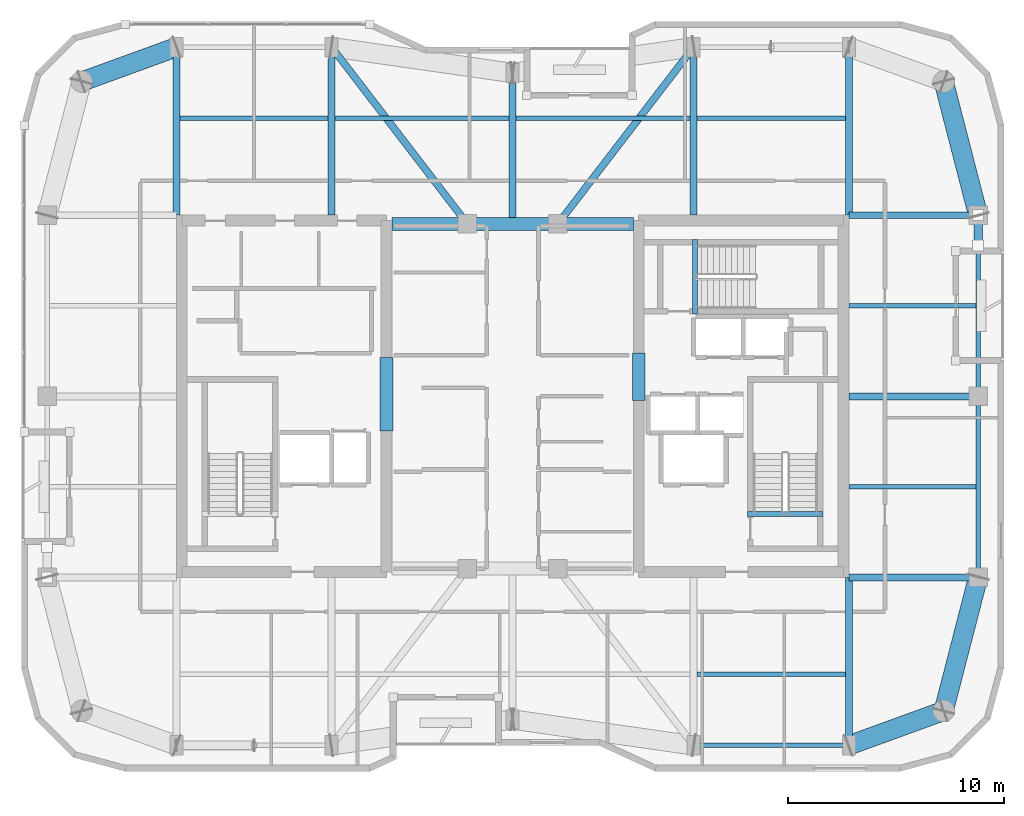
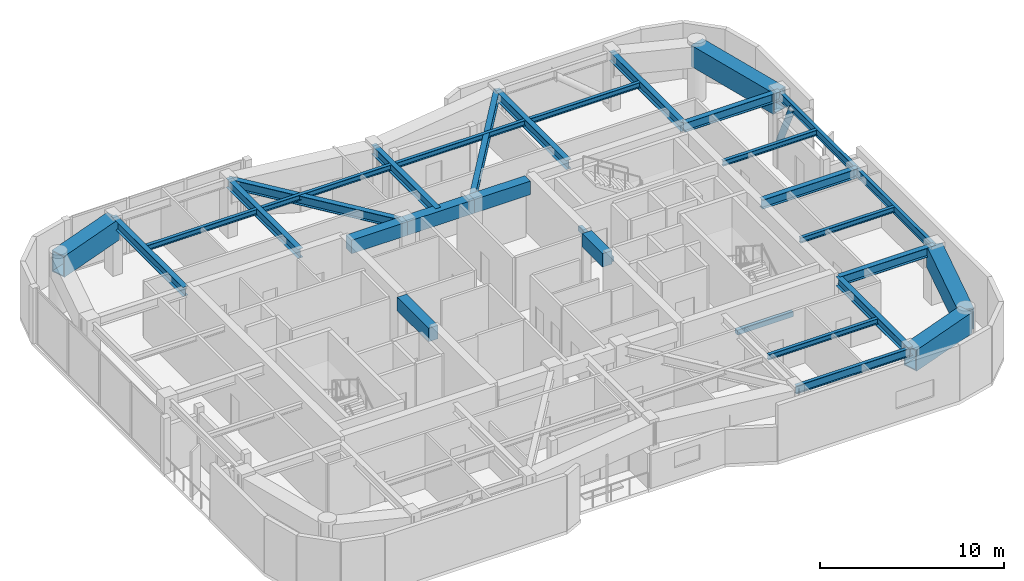
# One storey, part 5 of 15: 32 beams, 1 member.
"""IFC4 building model written with IfcOpenShell, lengths in metres."""

from ifc_helpers import new_model, si_unit, direction, frame, origin, origin_2d, place, context, subcontext, project, spatial, rectangle, hollow_rectangle, hollow_circle, i_section, extrude, material, material_profile, profile_set, type_object, element, save


model = new_model("IFC4")

# Units and contexts
model_context = context("Model", 3, precision=1e-05, world=origin(), true_north=direction((0.0, 1.0)))
body_context = subcontext(model_context, "Body", "Model", "MODEL_VIEW")
ifc_project = project(units=[si_unit("LENGTHUNIT", "METRE"), si_unit("AREAUNIT", "SQUARE_METRE"), si_unit("VOLUMEUNIT", "CUBIC_METRE"), si_unit("PLANEANGLEUNIT", "RADIAN"), si_unit("MASSUNIT", "GRAM", prefix="KILO")], contexts=[model_context])

# Site, building, storey
site_placement = place(None, origin())
site = spatial("IfcSite", under=ifc_project, at=site_placement, CompositionType="ELEMENT")
building_placement = place(site_placement, origin())
building = spatial("IfcBuilding", under=site, at=building_placement, Name="Kiyonajd Concourse Tower", CompositionType="ELEMENT")
storey_placement = place(building_placement, frame((0.0, 0.0, 318.0)))
storey = spatial("IfcBuildingStorey", under=building, at=storey_placement, Name="L80", CompositionType="ELEMENT", Elevation=318.0)

# Beams
ifc_material_1 = material(Name="Concrete C60/75", Category="concrete")
ifc_material_profile_1 = material_profile(ifc_material_1, rectangle(XDim=0.60009765625, YDim=0.89990234375, at=origin_2d()), Name="RCBM-600x900")
ifc_profile_set_1 = profile_set([ifc_material_profile_1], Name="Concrete C60/75")
beam_type_1 = type_object("IfcBeamType", Name="BM-COUP-900", PredefinedType="LINTEL", material=ifc_profile_set_1)
beam_1_placement = place(storey_placement, frame((42.39990234375, 44.0, 3.22998046875), z_axis=(1.0, 0.0, 0.0), x_axis=(0.0, 1.0, 0.0)))
element("IfcBeam", 1, at=beam_1_placement, inside=storey, type_object=beam_type_1, Name="L80 Core Coupling Beam N1", PredefinedType="LINTEL", context=body_context, shape_type="SweptSolid", body=[
    extrude(rectangle(XDim=0.60009765625, YDim=0.89990234375, at=origin_2d()), origin(), (0.0, 0.0, 1.0), 3.5),
])
beam_2_placement = place(storey_placement, frame((45.89990234375, 44.0, 3.22998046875), z_axis=(1.0, 0.0, 0.0), x_axis=(0.0, 1.0, 0.0)))
element("IfcBeam", 2, at=beam_2_placement, inside=storey, type_object=beam_type_1, Name="L80 Core Coupling Beam N2", PredefinedType="LINTEL", context=body_context, shape_type="SweptSolid", body=[
    extrude(rectangle(XDim=0.60009765625, YDim=0.89990234375, at=origin_2d()), origin(), (0.0, 0.0, 1.0), 4.2001953125),
])
beam_3_placement = place(storey_placement, frame((50.10009765625, 44.0, 3.22998046875), z_axis=(1.0, 0.0, 0.0), x_axis=(0.0, 1.0, 0.0)))
element("IfcBeam", 3, at=beam_3_placement, inside=storey, type_object=beam_type_1, Name="L80 Core Coupling Beam N3", PredefinedType="LINTEL", context=body_context, shape_type="SweptSolid", body=[
    extrude(rectangle(XDim=0.60009765625, YDim=0.89990234375, at=origin_2d()), origin(), (0.0, 0.0, 1.0), 3.5),
])
beam_4_placement = place(storey_placement, frame((42.14990234375, 34.39990234375, 3.22998046875), z_axis=(0.0, 1.0, 0.0), x_axis=(-1.0, 0.0, 0.0)))
element("IfcBeam", 4, at=beam_4_placement, inside=storey, type_object=beam_type_1, Name="L80 West Core Throat Coupling Lintel", PredefinedType="LINTEL", context=body_context, shape_type="SweptSolid", body=[
    extrude(rectangle(XDim=0.60009765625, YDim=0.89990234375, at=origin_2d()), origin(), (0.0, 0.0, 1.0), 3.400146484375),
])
beam_5_placement = place(storey_placement, frame((53.85009765625, 35.800048828125, 3.22998046875), z_axis=(0.0, 1.0, 0.0), x_axis=(-1.0, 0.0, 0.0)))
element("IfcBeam", 5, at=beam_5_placement, inside=storey, type_object=beam_type_1, Name="L80 East Core Throat Coupling Lintel", PredefinedType="LINTEL", context=body_context, shape_type="SweptSolid", body=[
    extrude(rectangle(XDim=0.60009765625, YDim=0.89990234375, at=origin_2d()), origin(), (0.0, 0.0, 1.0), 2.199951171875),
])
ifc_material_2 = material(Name="Steel ASTM A992 Grade 50", Category="steel")
ifc_material_profile_2 = material_profile(ifc_material_2, i_section(OverallWidth=0.205078125, OverallDepth=0.35400390625, WebThickness=0.009521484375, FlangeThickness=0.016845703125, at=origin_2d()), Name="W360X79")
ifc_profile_set_2 = profile_set([ifc_material_profile_2], Name="Steel ASTM A992 Grade 50")
beam_type_2 = type_object("IfcBeamType", Name="BM-JST-360", PredefinedType="JOIST", material=ifc_profile_set_2)
for number, where, z_axis, x_axis, name in (
    (6, (56.56201171875, 23.10009765625, 3.5029296875), (1.0, 0.0, 0.0), (0.0, 1.0, 0.0), "L80 Secondary Floor Joist"),
    (7, (32.56201171875, 48.89990234375, 3.5029296875), (1.0, 0.0, 0.0), (0.0, 1.0, 0.0), "L80 Secondary Floor Joist"),
):
    element("IfcBeam", number, at=place(storey_placement, frame(where, z_axis=z_axis, x_axis=x_axis)), inside=storey, type_object=beam_type_2, Name=name, PredefinedType="JOIST", context=body_context, shape_type="SweptSolid", body=[
        extrude(i_section(OverallWidth=0.205078125, OverallDepth=0.35400390625, WebThickness=0.009521484375, FlangeThickness=0.016845703125, at=origin_2d()), origin(), (0.0, 0.0, 1.0), 6.8759765625),
    ])
for number, where, z_axis, x_axis, name in (
    (8, (39.761962890625, 48.89990234375, 3.5029296875), (1.0, 0.0, 0.0), (0.0, 1.0, 0.0), "L80 Secondary Floor Joist"),
    (9, (48.162109375, 48.89990234375, 3.5029296875), (1.0, 0.0, 0.0), (0.0, 1.0, 0.0), "L80 Secondary Floor Joist"),
):
    element("IfcBeam", number, at=place(storey_placement, frame(where, z_axis=z_axis, x_axis=x_axis)), inside=storey, type_object=beam_type_2, Name=name, PredefinedType="JOIST", context=body_context, shape_type="SweptSolid", body=[
        extrude(i_section(OverallWidth=0.205078125, OverallDepth=0.35400390625, WebThickness=0.009521484375, FlangeThickness=0.016845703125, at=origin_2d()), origin(), (0.0, 0.0, 1.0), 8.075927734375),
    ])
beam_6_placement = place(storey_placement, frame((56.56201171875, 48.89990234375, 3.5029296875), z_axis=(1.0, 0.0, 0.0), x_axis=(0.0, 1.0, 0.0)))
element("IfcBeam", 10, at=beam_6_placement, inside=storey, type_object=beam_type_2, Name="L80 Secondary Floor Joist", PredefinedType="JOIST", context=body_context, shape_type="SweptSolid", body=[
    extrude(i_section(OverallWidth=0.205078125, OverallDepth=0.35400390625, WebThickness=0.009521484375, FlangeThickness=0.016845703125, at=origin_2d()), origin(), (0.0, 0.0, 1.0), 6.8759765625),
])
for number, where, z_axis, x_axis, name in (
    (11, (63.60009765625, 31.800048828125, 3.5029296875), (1.0, 0.0, 0.0), (0.0, 1.0, 0.0), "L80 East Secondary Floor Joist"),
    (12, (63.60009765625, 40.199951171875, 3.5029296875), (1.0, 0.0, 0.0), (0.0, 1.0, 0.0), "L80 East Secondary Floor Joist"),
):
    element("IfcBeam", number, at=place(storey_placement, frame(where, z_axis=z_axis, x_axis=x_axis)), inside=storey, type_object=beam_type_2, Name=name, PredefinedType="JOIST", context=body_context, shape_type="SweptSolid", body=[
        extrude(i_section(OverallWidth=0.205078125, OverallDepth=0.35400390625, WebThickness=0.009521484375, FlangeThickness=0.016845703125, at=origin_2d()), origin(), (0.0, 0.0, 1.0), 5.894287109375),
    ])
ifc_material_3 = material(Name="Concrete C50/60", Category="concrete")
ifc_material_profile_3 = material_profile(ifc_material_3, rectangle(XDim=0.239990234375, YDim=0.320068359375, at=origin_2d()), Name="RCBM-240x320")
ifc_profile_set_3 = profile_set([ifc_material_profile_3], Name="Concrete C50/60")
beam_type_3 = type_object("IfcBeamType", Name="BM-LNT-250", PredefinedType="LINTEL", material=ifc_profile_set_3)
beam_7_placement = place(storey_placement, frame((58.889892578125, 30.530029296875, -0.159912109375), z_axis=(1.0, 0.0, 0.0), x_axis=(0.0, 1.0, 0.0)))
element("IfcBeam", 13, at=beam_7_placement, inside=storey, type_object=beam_type_3, Name="L80 Stair ST2 Threshold Support Beam", PredefinedType="LINTEL", context=body_context, shape_type="SweptSolid", body=[
    extrude(rectangle(XDim=0.239990234375, YDim=0.320068359375, at=origin_2d()), origin(), (0.0, 0.0, 1.0), 3.52001953125),
])
beam_8_placement = place(storey_placement, frame((56.4599609375, 39.820068359375, -0.159912109375), z_axis=(0.0, 1.0, 0.0), x_axis=(-1.0, 0.0, 0.0)))
element("IfcBeam", 14, at=beam_8_placement, inside=storey, type_object=beam_type_3, Name="L80 Stair ST3 Threshold Support Beam", PredefinedType="LINTEL", context=body_context, shape_type="SweptSolid", body=[
    extrude(rectangle(XDim=0.239990234375, YDim=0.320068359375, at=origin_2d()), origin(), (0.0, 0.0, 1.0), 3.4599609375),
])
ifc_material_profile_4 = material_profile(ifc_material_2, i_section(OverallWidth=0.2109375, OverallDepth=0.5390625, WebThickness=0.01171875, FlangeThickness=0.018798828125, at=origin_2d()), Name="W530X109")
ifc_profile_set_4 = profile_set([ifc_material_profile_4], Name="Steel ASTM A992 Grade 50")
beam_type_4 = type_object("IfcBeamType", Name="BM-SPAN-530B", PredefinedType="SPANDREL", material=ifc_profile_set_4)
beam_9_placement = place(storey_placement, frame((56.39990234375, 19.800048828125, 3.410400390625), z_axis=(1.0, 0.0, 0.0), x_axis=(0.0, 1.0, 0.0)))
element("IfcBeam", 15, at=beam_9_placement, inside=storey, type_object=beam_type_4, Name="L80 Perimeter Bundled Tube Spandrel", PredefinedType="SPANDREL", context=body_context, shape_type="SweptSolid", body=[
    extrude(i_section(OverallWidth=0.2109375, OverallDepth=0.5390625, WebThickness=0.01171875, FlangeThickness=0.018798828125, at=origin_2d()), origin(), (0.0, 0.0, 1.0), 7.2001953125),
])
for number, where, z_axis, x_axis, name in (
    (16, (69.60009765625, 27.60009765625, 3.410400390625), (0.0, 1.0, 0.0), (-1.0, 0.0, 0.0), "L80 Perimeter Bundled Tube Spandrel"),
    (17, (69.60009765625, 36.0, 3.410400390625), (0.0, 1.0, 0.0), (-1.0, 0.0, 0.0), "L80 Perimeter Bundled Tube Spandrel"),
):
    element("IfcBeam", number, at=place(storey_placement, frame(where, z_axis=z_axis, x_axis=x_axis)), inside=storey, type_object=beam_type_4, Name=name, PredefinedType="SPANDREL", context=body_context, shape_type="SweptSolid", body=[
        extrude(i_section(OverallWidth=0.2109375, OverallDepth=0.5390625, WebThickness=0.01171875, FlangeThickness=0.018798828125, at=origin_2d()), origin(), (0.0, 0.0, 1.0), 8.39990234375),
    ])
ifc_material_profile_5 = material_profile(ifc_material_2, i_section(OverallWidth=0.326904296875, OverallDepth=0.6220703125, WebThickness=0.015380859375, FlangeThickness=0.0244140625, at=origin_2d()), Name="W610X195")
ifc_profile_set_5 = profile_set([ifc_material_profile_5], Name="Steel ASTM A992 Grade 50")
beam_type_5 = type_object("IfcBeamType", Name="BM-TWR-610A", PredefinedType="BEAM", material=ifc_profile_set_5)
for number, where, z_axis, x_axis, name in (
    (18, (39.60009765625, 52.199951171875, 3.368896484375), (0.609233709922, -0.792990722956, 0.0), (0.792990722956, 0.609233709922, 0.0), "L80 Core Tie Girder"),
    (19, (50.10009765625, 44.0, 3.368896484375), (0.609233709922, 0.792990722956, 0.0), (-0.792990722956, 0.609233709922, 0.0), "L80 Core Tie Girder"),
):
    element("IfcBeam", number, at=place(storey_placement, frame(where, z_axis=z_axis, x_axis=x_axis)), inside=storey, type_object=beam_type_5, Name=name, PredefinedType="BEAM", context=body_context, shape_type="SweptSolid", body=[
        extrude(i_section(OverallWidth=0.326904296875, OverallDepth=0.6220703125, WebThickness=0.015380859375, FlangeThickness=0.0244140625, at=origin_2d()), origin(), (0.0, 0.0, 1.0), 10.340576171875),
    ])
ifc_material_profile_6 = material_profile(ifc_material_2, i_section(OverallWidth=0.323974609375, OverallDepth=0.611083984375, WebThickness=0.0126953125, FlangeThickness=0.01904296875, at=origin_2d()), Name="W610X155")
ifc_profile_set_6 = profile_set([ifc_material_profile_6], Name="Steel ASTM A992 Grade 50")
beam_type_6 = type_object("IfcBeamType", Name="BM-TWR-610B", PredefinedType="BEAM", material=ifc_profile_set_6)
for number, where, z_axis, x_axis, name in (
    (20, (32.39990234375, 44.39990234375, 3.37451171875), (0.0, 1.0, 0.0), (-1.0, 0.0, 0.0), "L80 North Lease Girder"),
    (21, (39.60009765625, 44.39990234375, 3.37451171875), (0.0, 1.0, 0.0), (-1.0, 0.0, 0.0), "L80 North Lease Girder"),
    (22, (56.39990234375, 44.39990234375, 3.37451171875), (0.0, 1.0, 0.0), (-1.0, 0.0, 0.0), "L80 North Lease Girder"),
    (23, (63.60009765625, 19.800048828125, 3.37451171875), (0.0, 1.0, 0.0), (-1.0, 0.0, 0.0), "L80 South Lease Girder"),
    (24, (63.60009765625, 44.39990234375, 3.37451171875), (0.0, 1.0, 0.0), (-1.0, 0.0, 0.0), "L80 North Lease Girder"),
):
    element("IfcBeam", number, at=place(storey_placement, frame(where, z_axis=z_axis, x_axis=x_axis)), inside=storey, type_object=beam_type_6, Name=name, PredefinedType="BEAM", context=body_context, shape_type="SweptSolid", body=[
        extrude(i_section(OverallWidth=0.323974609375, OverallDepth=0.611083984375, WebThickness=0.0126953125, FlangeThickness=0.01904296875, at=origin_2d()), origin(), (0.0, 0.0, 1.0), 7.800048828125),
    ])
beam_10_placement = place(storey_placement, frame((48.0, 44.0, 3.37451171875), z_axis=(0.0, 1.0, 0.0), x_axis=(-1.0, 0.0, 0.0)))
element("IfcBeam", 25, at=beam_10_placement, inside=storey, type_object=beam_type_6, Name="L80 North Ribbon Girder", PredefinedType="BEAM", context=body_context, shape_type="SweptSolid", body=[
    extrude(i_section(OverallWidth=0.323974609375, OverallDepth=0.611083984375, WebThickness=0.0126953125, FlangeThickness=0.01904296875, at=origin_2d()), origin(), (0.0, 0.0, 1.0), 7.0),
])
for number, where, z_axis, x_axis, name in (
    (26, (63.60009765625, 27.60009765625, 3.37451171875), (1.0, 0.0, 0.0), (0.0, 1.0, 0.0), "L80 East Lease Girder"),
    (27, (63.60009765625, 36.0, 3.37451171875), (1.0, 0.0, 0.0), (0.0, 1.0, 0.0), "L80 East Lease Girder"),
    (28, (63.60009765625, 44.39990234375, 3.37451171875), (1.0, 0.0, 0.0), (0.0, 1.0, 0.0), "L80 East Lease Girder"),
):
    element("IfcBeam", number, at=place(storey_placement, frame(where, z_axis=z_axis, x_axis=x_axis)), inside=storey, type_object=beam_type_6, Name=name, PredefinedType="BEAM", context=body_context, shape_type="SweptSolid", body=[
        extrude(i_section(OverallWidth=0.323974609375, OverallDepth=0.611083984375, WebThickness=0.0126953125, FlangeThickness=0.01904296875, at=origin_2d()), origin(), (0.0, 0.0, 1.0), 6.0),
    ])
ifc_material_4 = material(Name="Steel ASTM A572 Grade 50", Category="steel")
ifc_material_profile_7 = material_profile(ifc_material_4, hollow_rectangle(XDim=0.89990234375, YDim=1.39990234375, WallThickness=0.070068359375, at=origin_2d()), Name="BOX-1400x900x70")
ifc_profile_set_7 = profile_set([ifc_material_profile_7], Name="Steel ASTM A572 Grade 50")
beam_type_7 = type_object("IfcBeamType", Name="BM-XFER-1400", PredefinedType="BEAM", material=ifc_profile_set_7)
beam_11_placement = place(storey_placement, frame((63.60009765625, 19.800048828125, 2.97998046875), z_axis=(0.939801036019, 0.341722127901, 0.0), x_axis=(-0.341722127901, 0.939801036019, 0.0)))
element("IfcBeam", 29, at=beam_11_placement, inside=storey, type_object=beam_type_7, Name="L80 Perimeter Bundled Tube Spandrel", PredefinedType="BEAM", context=body_context, shape_type="SweptSolid", body=[
    extrude(hollow_rectangle(XDim=0.89990234375, YDim=1.39990234375, WallThickness=0.070068359375, at=origin_2d()), origin(), (0.0, 0.0, 1.0), 4.681640625),
])
for number, where, z_axis, x_axis, name in (
    (30, (68.0, 21.39990234375, 2.97998046875), (0.249884937687, 0.968275538221, 0.0), (-0.968275538221, 0.249884937687, 0.0), "L80 Perimeter Bundled Tube Spandrel"),
    (31, (69.60009765625, 44.39990234375, 2.97998046875), (-0.249884937687, 0.968275538221, 0.0), (-0.968275538221, -0.249884937687, 0.0), "L80 Perimeter Bundled Tube Spandrel"),
):
    element("IfcBeam", number, at=place(storey_placement, frame(where, z_axis=z_axis, x_axis=x_axis)), inside=storey, type_object=beam_type_7, Name=name, PredefinedType="BEAM", context=body_context, shape_type="SweptSolid", body=[
        extrude(hollow_rectangle(XDim=0.89990234375, YDim=1.39990234375, WallThickness=0.070068359375, at=origin_2d()), origin(), (0.0, 0.0, 1.0), 6.4033203125),
    ])
beam_12_placement = place(storey_placement, frame((32.39990234375, 52.199951171875, 2.97998046875), z_axis=(-0.939801036019, -0.341722127901, 0.0), x_axis=(0.341722127901, -0.939801036019, 0.0)))
element("IfcBeam", 32, at=beam_12_placement, inside=storey, type_object=beam_type_7, Name="L80 Perimeter Bundled Tube Spandrel", PredefinedType="BEAM", context=body_context, shape_type="SweptSolid", body=[
    extrude(hollow_rectangle(XDim=0.89990234375, YDim=1.39990234375, WallThickness=0.070068359375, at=origin_2d()), origin(), (0.0, 0.0, 1.0), 4.681640625),
])

# Member
ifc_material_5 = material(Name="Steel ASTM A500 Grade C", Category="steel")
ifc_material_profile_8 = material_profile(ifc_material_5, hollow_circle(Radius=0.202880859375, WallThickness=0.01904296875, at=origin_2d()), Name="CHS-406x19")
ifc_profile_set_8 = profile_set([ifc_material_profile_8], Name="Steel ASTM A500 Grade C")
member_type = type_object("IfcMemberType", Name="MB-PB-HIGH", PredefinedType="BRACE", material=ifc_profile_set_8)
member_placement = place(storey_placement, frame((69.60009765625, 44.39990234375, 0.300048828125), z_axis=(0.0, -0.419410666774, 0.907796614114), x_axis=(1.0, 0.0, 0.0)))
element("IfcMember", 33, at=member_placement, inside=storey, type_object=member_type, Name="L80 Upper Zone Hollow Tube Brace PBE", PredefinedType="BRACE", context=body_context, shape_type="SweptSolid", body=[
    extrude(hollow_circle(Radius=0.202880859375, WallThickness=0.01904296875, at=origin_2d()), origin(), (0.0, 0.0, 1.0), 3.337890625),
])

save(model, "model.ifc")
